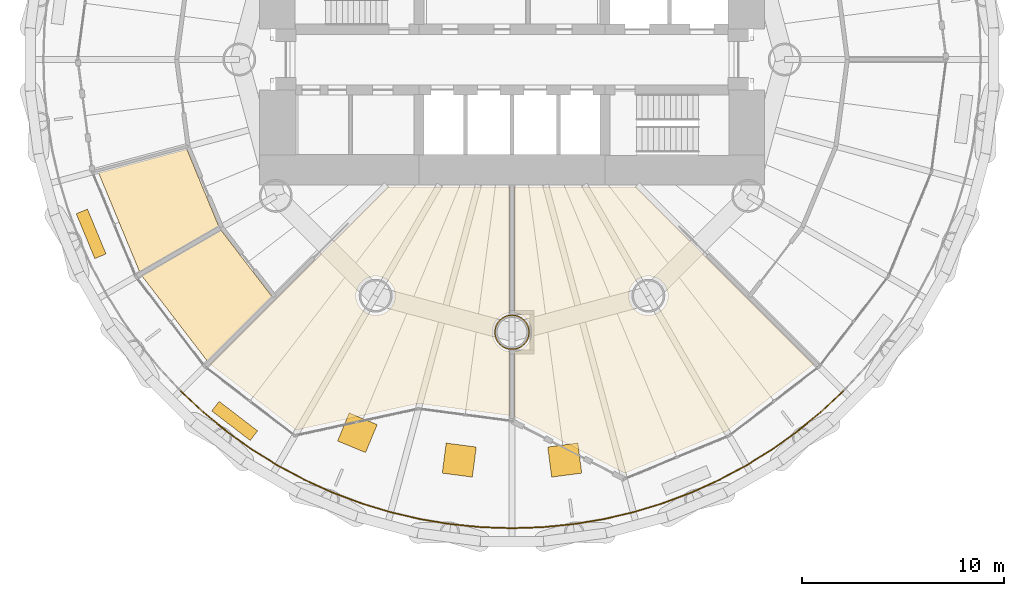
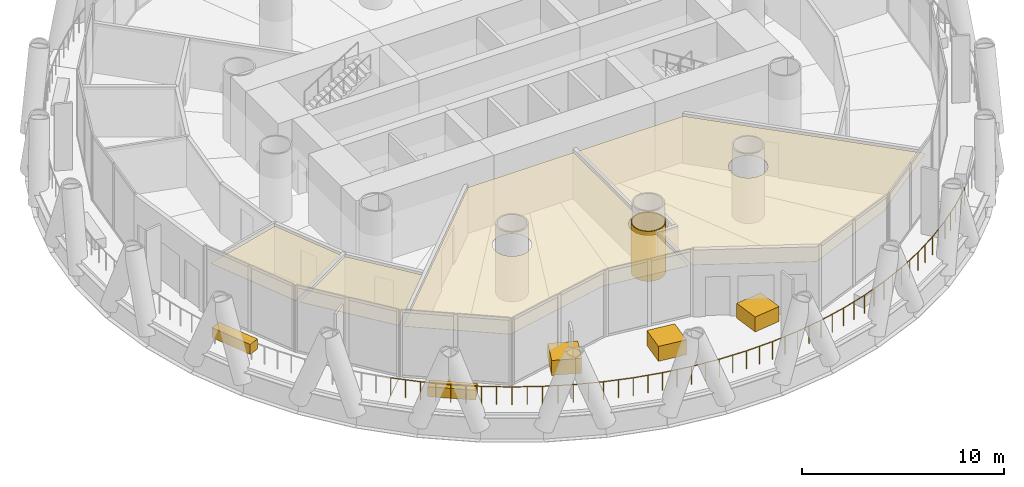
# One storey, part 12 of 15: 10 coverings, 1 railing.
"""IFC4 building model written with IfcOpenShell, lengths in metres."""

from ifc_helpers import new_model, si_unit, direction, frame, origin, origin_2d, place, context, subcontext, project, spatial, polyline, rectangle, circle, outline, extrude, material, layer, layer_set, type_object, element, save


model = new_model("IFC4")

# Units and contexts
model_context = context("Model", 3, precision=1e-05, world=origin(), true_north=direction((0.0, 1.0)))
body_context = subcontext(model_context, "Body", "Model", "MODEL_VIEW")
ifc_project = project(units=[si_unit("LENGTHUNIT", "METRE"), si_unit("AREAUNIT", "SQUARE_METRE"), si_unit("VOLUMEUNIT", "CUBIC_METRE"), si_unit("PLANEANGLEUNIT", "RADIAN"), si_unit("MASSUNIT", "GRAM", prefix="KILO")], contexts=[model_context])

# Site, building, storey
site_placement = place(None, origin())
site = spatial("IfcSite", under=ifc_project, at=site_placement, CompositionType="ELEMENT")
building_placement = place(site_placement, origin())
building = spatial("IfcBuilding", under=site, at=building_placement, Name="Qaws Media Tower", CompositionType="ELEMENT")
storey_placement = place(building_placement, frame((0.0, 0.0, 198.199951171875)))
storey = spatial("IfcBuildingStorey", under=building, at=storey_placement, Name="L45", CompositionType="ELEMENT", Elevation=198.199951171875)

# Railing
ifc_material_1 = material(Name="Stainless steel and glass guard", Category="steel")
railing_type = type_object("IfcRailingType", Name="Balcony guard 1100", PredefinedType="GUARDRAIL", material=ifc_material_1)
railing_placement = place(storey_placement, frame((43.59521484375, 33.59521484375, 0.0)))
element("IfcRailing", 1, at=railing_placement, inside=storey, type_object=railing_type, Name="GR1 balcony guard L45-3", PredefinedType="GUARDRAIL", context=body_context, shape_type="SweptSolid", body=[
    extrude(circle(Radius=0.02392578125, at=origin_2d()), frame((0.0, 0.0, 1.076171875), z_axis=(0.729807969016, -0.683652198388, 0.0), x_axis=(0.683652198388, 0.729807969016, 0.0)), (0.0, 0.0, 1.0), 1.51806640625),
    extrude(circle(Radius=0.02392578125, at=origin_2d()), frame((1.10791015625, -1.037841796875, 1.076171875), z_axis=(0.773010685803, -0.634393000934, 0.0), x_axis=(0.634393000934, 0.773010685803, 0.0)), (0.0, 0.0, 1.0), 1.518310546875),
    extrude(circle(Radius=0.02392578125, at=origin_2d()), frame((2.281494140625, -2.0009765625, 1.076171875), z_axis=(0.812874227646, -0.582439258661, 0.0), x_axis=(0.582439258661, 0.812874227646, 0.0)), (0.0, 0.0, 1.0), 1.518310546875),
    extrude(circle(Radius=0.02392578125, at=origin_2d()), frame((3.515625, -2.88525390625, 1.076171875), z_axis=(0.849152775167, -0.528147294252, 0.0), x_axis=(0.528147294252, 0.849152775167, 0.0)), (0.0, 0.0, 1.0), 1.51806640625),
    extrude(circle(Radius=0.02392578125, at=origin_2d()), frame((4.8046875, -3.68701171875, 1.076171875), z_axis=(0.881974308934, -0.471297483953, 0.0), x_axis=(0.471297483953, 0.881974308934, 0.0)), (0.0, 0.0, 1.0), 1.518310546875),
    extrude(circle(Radius=0.02392578125, at=origin_2d()), frame((6.143798828125, -4.402587890625, 1.076171875), z_axis=(0.910823016553, -0.41279708395, 0.0), x_axis=(0.41279708395, 0.910823016553, 0.0)), (0.0, 0.0, 1.0), 1.518310546875),
    extrude(circle(Radius=0.02392578125, at=origin_2d()), frame((7.526611328125, -5.029296875, 1.076171875), z_axis=(0.935932055132, -0.352180618684, 0.0), x_axis=(0.352180618684, 0.935932055132, 0.0)), (0.0, 0.0, 1.0), 1.51806640625),
    extrude(circle(Radius=0.02392578125, at=origin_2d()), frame((8.947509765625, -5.56396484375, 1.076171875), z_axis=(0.956936438438, -0.290297524602, 0.0), x_axis=(0.290297524602, 0.956936438438, 0.0)), (0.0, 0.0, 1.0), 1.51806640625),
    extrude(circle(Radius=0.02392578125, at=origin_2d()), frame((10.400146484375, -6.004638671875, 1.076171875), z_axis=(0.973879153952, -0.227066936159, 0.0), x_axis=(0.227066936159, 0.973879153952, 0.0)), (0.0, 0.0, 1.0), 1.51806640625),
    extrude(circle(Radius=0.02392578125, at=origin_2d()), frame((11.878662109375, -6.349365234375, 1.076171875), z_axis=(0.986640555935, -0.162912287394, 0.0), x_axis=(0.162912287394, 0.986640555935, 0.0)), (0.0, 0.0, 1.0), 1.51806640625),
    extrude(circle(Radius=0.02392578125, at=origin_2d()), frame((13.37646484375, -6.5966796875, 1.076171875), z_axis=(0.995177874507, -0.098086686613, 0.0), x_axis=(0.098086686613, 0.995177874507, 0.0)), (0.0, 0.0, 1.0), 1.518310546875),
    extrude(circle(Radius=0.02392578125, at=origin_2d()), frame((14.887451171875, -6.74560546875, 1.076171875), z_axis=(0.999466993527, -0.032645502765, 0.0), x_axis=(0.032645502765, 0.999466993527, 0.0)), (0.0, 0.0, 1.0), 1.51806640625),
    extrude(circle(Radius=0.02392578125, at=origin_2d()), frame((16.40478515625, -6.795166015625, 1.076171875), z_axis=(0.999466993527, 0.032645502765, 0.0), x_axis=(-0.032645502765, 0.999466993527, 0.0)), (0.0, 0.0, 1.0), 1.51806640625),
    extrude(circle(Radius=0.02392578125, at=origin_2d()), frame((17.922119140625, -6.74560546875, 1.076171875), z_axis=(0.995177874507, 0.098086686613, 0.0), x_axis=(-0.098086686613, 0.995177874507, 0.0)), (0.0, 0.0, 1.0), 1.518310546875),
    extrude(circle(Radius=0.02392578125, at=origin_2d()), frame((19.43310546875, -6.5966796875, 1.076171875), z_axis=(0.986640555935, 0.162912287394, 0.0), x_axis=(-0.162912287394, 0.986640555935, 0.0)), (0.0, 0.0, 1.0), 1.51806640625),
    extrude(circle(Radius=0.02392578125, at=origin_2d()), frame((20.930908203125, -6.349365234375, 1.076171875), z_axis=(0.973879153952, 0.227066936159, 0.0), x_axis=(-0.227066936159, 0.973879153952, 0.0)), (0.0, 0.0, 1.0), 1.51806640625),
    extrude(circle(Radius=0.02392578125, at=origin_2d()), frame((22.409423828125, -6.004638671875, 1.076171875), z_axis=(0.956936438438, 0.290297524602, 0.0), x_axis=(-0.290297524602, 0.956936438438, 0.0)), (0.0, 0.0, 1.0), 1.51806640625),
    extrude(circle(Radius=0.02392578125, at=origin_2d()), frame((23.862060546875, -5.56396484375, 1.076171875), z_axis=(0.935932055132, 0.352180618684, 0.0), x_axis=(-0.352180618684, 0.935932055132, 0.0)), (0.0, 0.0, 1.0), 1.51806640625),
    extrude(circle(Radius=0.02392578125, at=origin_2d()), frame((25.282958984375, -5.029296875, 1.076171875), z_axis=(0.910823016553, 0.41279708395, 0.0), x_axis=(-0.41279708395, 0.910823016553, 0.0)), (0.0, 0.0, 1.0), 1.518310546875),
    extrude(circle(Radius=0.02392578125, at=origin_2d()), frame((26.665771484375, -4.402587890625, 1.076171875), z_axis=(0.881974308934, 0.471297483953, 0.0), x_axis=(-0.471297483953, 0.881974308934, 0.0)), (0.0, 0.0, 1.0), 1.518310546875),
    extrude(circle(Radius=0.02392578125, at=origin_2d()), frame((28.0048828125, -3.68701171875, 1.076171875), z_axis=(0.849152775167, 0.528147294252, 0.0), x_axis=(-0.528147294252, 0.849152775167, 0.0)), (0.0, 0.0, 1.0), 1.51806640625),
    extrude(circle(Radius=0.02392578125, at=origin_2d()), frame((29.2939453125, -2.88525390625, 1.076171875), z_axis=(0.812874227646, 0.582439258661, 0.0), x_axis=(-0.582439258661, 0.812874227646, 0.0)), (0.0, 0.0, 1.0), 1.518310546875),
    extrude(circle(Radius=0.02392578125, at=origin_2d()), frame((30.528076171875, -2.0009765625, 1.076171875), z_axis=(0.773010685803, 0.634393000934, 0.0), x_axis=(-0.634393000934, 0.773010685803, 0.0)), (0.0, 0.0, 1.0), 1.518310546875),
    extrude(circle(Radius=0.02392578125, at=origin_2d()), frame((31.70166015625, -1.037841796875, 1.076171875), z_axis=(0.729807969016, 0.683652198388, 0.0), x_axis=(-0.683652198388, 0.729807969016, 0.0)), (0.0, 0.0, 1.0), 1.51806640625),
    extrude(circle(Radius=0.02099609375, at=origin_2d()), origin(), (0.0, 0.0, 1.0), 1.052001953125),
    extrude(circle(Radius=0.02099609375, at=origin_2d()), frame((0.553955078125, -0.51904296875, 0.0)), (0.0, 0.0, 1.0), 1.052001953125),
    extrude(circle(Radius=0.02099609375, at=origin_2d()), frame((1.10791015625, -1.037841796875, 0.0)), (0.0, 0.0, 1.0), 1.052001953125),
    extrude(circle(Radius=0.02099609375, at=origin_2d()), frame((1.69482421875, -1.51953125, 0.0)), (0.0, 0.0, 1.0), 1.052001953125),
    extrude(circle(Radius=0.02099609375, at=origin_2d()), frame((2.281494140625, -2.0009765625, 0.0)), (0.0, 0.0, 1.0), 1.052001953125),
    extrude(circle(Radius=0.02099609375, at=origin_2d()), frame((2.8984375, -2.443115234375, 0.0)), (0.0, 0.0, 1.0), 1.052001953125),
    extrude(circle(Radius=0.02099609375, at=origin_2d()), frame((3.515625, -2.88525390625, 0.0)), (0.0, 0.0, 1.0), 1.052001953125),
    extrude(circle(Radius=0.02099609375, at=origin_2d()), frame((4.16015625, -3.2861328125, 0.0)), (0.0, 0.0, 1.0), 1.052001953125),
    extrude(circle(Radius=0.02099609375, at=origin_2d()), frame((4.8046875, -3.68701171875, 0.0)), (0.0, 0.0, 1.0), 1.052001953125),
    extrude(circle(Radius=0.02099609375, at=origin_2d()), frame((5.47412109375, -4.044921875, 0.0)), (0.0, 0.0, 1.0), 1.052001953125),
    extrude(circle(Radius=0.02099609375, at=origin_2d()), frame((6.143798828125, -4.402587890625, 0.0)), (0.0, 0.0, 1.0), 1.052001953125),
    extrude(circle(Radius=0.02099609375, at=origin_2d()), frame((6.835205078125, -4.7158203125, 0.0)), (0.0, 0.0, 1.0), 1.052001953125),
    extrude(circle(Radius=0.02099609375, at=origin_2d()), frame((7.526611328125, -5.029296875, 0.0)), (0.0, 0.0, 1.0), 1.052001953125),
    extrude(circle(Radius=0.02099609375, at=origin_2d()), frame((8.237060546875, -5.296630859375, 0.0)), (0.0, 0.0, 1.0), 1.052001953125),
    extrude(circle(Radius=0.02099609375, at=origin_2d()), frame((8.947509765625, -5.56396484375, 0.0)), (0.0, 0.0, 1.0), 1.052001953125),
    extrude(circle(Radius=0.02099609375, at=origin_2d()), frame((9.673828125, -5.7841796875, 0.0)), (0.0, 0.0, 1.0), 1.052001953125),
    extrude(circle(Radius=0.02099609375, at=origin_2d()), frame((10.400146484375, -6.004638671875, 0.0)), (0.0, 0.0, 1.0), 1.052001953125),
    extrude(circle(Radius=0.02099609375, at=origin_2d()), frame((11.139404296875, -6.177001953125, 0.0)), (0.0, 0.0, 1.0), 1.052001953125),
    extrude(circle(Radius=0.02099609375, at=origin_2d()), frame((11.878662109375, -6.349365234375, 0.0)), (0.0, 0.0, 1.0), 1.052001953125),
    extrude(circle(Radius=0.02099609375, at=origin_2d()), frame((12.62744140625, -6.47314453125, 0.0)), (0.0, 0.0, 1.0), 1.052001953125),
    extrude(circle(Radius=0.02099609375, at=origin_2d()), frame((13.37646484375, -6.5966796875, 0.0)), (0.0, 0.0, 1.0), 1.052001953125),
    extrude(circle(Radius=0.02099609375, at=origin_2d()), frame((14.1318359375, -6.671142578125, 0.0)), (0.0, 0.0, 1.0), 1.052001953125),
    extrude(circle(Radius=0.02099609375, at=origin_2d()), frame((14.887451171875, -6.74560546875, 0.0)), (0.0, 0.0, 1.0), 1.052001953125),
    extrude(circle(Radius=0.02099609375, at=origin_2d()), frame((15.64599609375, -6.7705078125, 0.0)), (0.0, 0.0, 1.0), 1.052001953125),
    extrude(circle(Radius=0.02099609375, at=origin_2d()), frame((16.40478515625, -6.795166015625, 0.0)), (0.0, 0.0, 1.0), 1.052001953125),
    extrude(circle(Radius=0.02099609375, at=origin_2d()), frame((17.16357421875, -6.7705078125, 0.0)), (0.0, 0.0, 1.0), 1.052001953125),
    extrude(circle(Radius=0.02099609375, at=origin_2d()), frame((17.922119140625, -6.74560546875, 0.0)), (0.0, 0.0, 1.0), 1.052001953125),
    extrude(circle(Radius=0.02099609375, at=origin_2d()), frame((18.677734375, -6.671142578125, 0.0)), (0.0, 0.0, 1.0), 1.052001953125),
    extrude(circle(Radius=0.02099609375, at=origin_2d()), frame((19.43310546875, -6.5966796875, 0.0)), (0.0, 0.0, 1.0), 1.052001953125),
    extrude(circle(Radius=0.02099609375, at=origin_2d()), frame((20.18212890625, -6.47314453125, 0.0)), (0.0, 0.0, 1.0), 1.052001953125),
    extrude(circle(Radius=0.02099609375, at=origin_2d()), frame((20.930908203125, -6.349365234375, 0.0)), (0.0, 0.0, 1.0), 1.052001953125),
    extrude(circle(Radius=0.02099609375, at=origin_2d()), frame((21.670166015625, -6.177001953125, 0.0)), (0.0, 0.0, 1.0), 1.052001953125),
    extrude(circle(Radius=0.02099609375, at=origin_2d()), frame((22.409423828125, -6.004638671875, 0.0)), (0.0, 0.0, 1.0), 1.052001953125),
    extrude(circle(Radius=0.02099609375, at=origin_2d()), frame((23.1357421875, -5.7841796875, 0.0)), (0.0, 0.0, 1.0), 1.052001953125),
    extrude(circle(Radius=0.02099609375, at=origin_2d()), frame((23.862060546875, -5.56396484375, 0.0)), (0.0, 0.0, 1.0), 1.052001953125),
    extrude(circle(Radius=0.02099609375, at=origin_2d()), frame((24.572509765625, -5.296630859375, 0.0)), (0.0, 0.0, 1.0), 1.052001953125),
    extrude(circle(Radius=0.02099609375, at=origin_2d()), frame((25.282958984375, -5.029296875, 0.0)), (0.0, 0.0, 1.0), 1.052001953125),
    extrude(circle(Radius=0.02099609375, at=origin_2d()), frame((25.974365234375, -4.7158203125, 0.0)), (0.0, 0.0, 1.0), 1.052001953125),
    extrude(circle(Radius=0.02099609375, at=origin_2d()), frame((26.665771484375, -4.402587890625, 0.0)), (0.0, 0.0, 1.0), 1.052001953125),
    extrude(circle(Radius=0.02099609375, at=origin_2d()), frame((27.33544921875, -4.044921875, 0.0)), (0.0, 0.0, 1.0), 1.052001953125),
    extrude(circle(Radius=0.02099609375, at=origin_2d()), frame((28.0048828125, -3.68701171875, 0.0)), (0.0, 0.0, 1.0), 1.052001953125),
    extrude(circle(Radius=0.02099609375, at=origin_2d()), frame((28.6494140625, -3.2861328125, 0.0)), (0.0, 0.0, 1.0), 1.052001953125),
    extrude(circle(Radius=0.02099609375, at=origin_2d()), frame((29.2939453125, -2.88525390625, 0.0)), (0.0, 0.0, 1.0), 1.052001953125),
    extrude(circle(Radius=0.02099609375, at=origin_2d()), frame((29.9111328125, -2.443115234375, 0.0)), (0.0, 0.0, 1.0), 1.052001953125),
    extrude(circle(Radius=0.02099609375, at=origin_2d()), frame((30.528076171875, -2.0009765625, 0.0)), (0.0, 0.0, 1.0), 1.052001953125),
    extrude(circle(Radius=0.02099609375, at=origin_2d()), frame((31.11474609375, -1.51953125, 0.0)), (0.0, 0.0, 1.0), 1.052001953125),
    extrude(circle(Radius=0.02099609375, at=origin_2d()), frame((31.70166015625, -1.037841796875, 0.0)), (0.0, 0.0, 1.0), 1.052001953125),
    extrude(circle(Radius=0.02099609375, at=origin_2d()), frame((32.255615234375, -0.51904296875, 0.0)), (0.0, 0.0, 1.0), 1.052001953125),
    extrude(circle(Radius=0.02099609375, at=origin_2d()), frame((32.8095703125, 0.0, 0.0)), (0.0, 0.0, 1.0), 1.052001953125),
])

# Coverings
ifc_material_2 = material(Name="Two layers 15 fire-rated gypsum board on steel framing", Category="steel")
ifc_layer_1 = layer(ifc_material_2, 0.050048828125)
ifc_layer_set_1 = layer_set([ifc_layer_1], Name="Column fire casing")
covering_type_1 = type_object("IfcCoveringType", Name="Column fire casing", PredefinedType="CLADDING", material=ifc_layer_set_1)
covering_1_placement = place(storey_placement, origin())
element("IfcCovering", 2, at=covering_1_placement, inside=storey, type_object=covering_type_1, Name="CC1 column casing L45", PredefinedType="CLADDING", context=body_context, shape_type="SweptSolid", body=[
    extrude(outline(polyline([(60.867919921875, 36.5), (60.860595703125, 36.38671875), (60.83837890625, 36.275390625), (60.802001953125, 36.167724609375), (60.751708984375, 36.06591796875), (60.688720703125, 35.9716796875), (60.61376953125, 35.88623046875), (60.5283203125, 35.811279296875), (60.43408203125, 35.748291015625), (60.332275390625, 35.697998046875), (60.224609375, 35.66162109375), (60.11328125, 35.639404296875), (60.0, 35.632080078125), (59.88671875, 35.639404296875), (59.775390625, 35.66162109375), (59.667724609375, 35.697998046875), (59.56591796875, 35.748291015625), (59.4716796875, 35.811279296875), (59.38623046875, 35.88623046875), (59.311279296875, 35.9716796875), (59.248291015625, 36.06591796875), (59.197998046875, 36.167724609375), (59.16162109375, 36.275390625), (59.139404296875, 36.38671875), (59.132080078125, 36.5), (59.139404296875, 36.61328125), (59.16162109375, 36.724609375), (59.197998046875, 36.832275390625), (59.248291015625, 36.93408203125), (59.311279296875, 37.0283203125), (59.38623046875, 37.11376953125), (59.4716796875, 37.188720703125), (59.56591796875, 37.251708984375), (59.667724609375, 37.302001953125), (59.775390625, 37.33837890625), (59.88671875, 37.360595703125), (60.0, 37.367919921875), (60.11328125, 37.360595703125), (60.224609375, 37.33837890625), (60.332275390625, 37.302001953125), (60.43408203125, 37.251708984375), (60.5283203125, 37.188720703125), (60.61376953125, 37.11376953125), (60.688720703125, 37.0283203125), (60.751708984375, 36.93408203125), (60.802001953125, 36.832275390625), (60.83837890625, 36.724609375), (60.860595703125, 36.61328125), (60.867919921875, 36.5)]), holes=[polyline([(60.81591796875, 36.5), (60.80908203125, 36.3935546875), (60.7880859375, 36.288818359375), (60.75390625, 36.187744140625), (60.706787109375, 36.092041015625), (60.6474609375, 36.00341796875), (60.576904296875, 35.923095703125), (60.49658203125, 35.8525390625), (60.407958984375, 35.793212890625), (60.312255859375, 35.74609375), (60.211181640625, 35.7119140625), (60.1064453125, 35.69091796875), (60.0, 35.68408203125), (59.8935546875, 35.69091796875), (59.788818359375, 35.7119140625), (59.687744140625, 35.74609375), (59.592041015625, 35.793212890625), (59.50341796875, 35.8525390625), (59.423095703125, 35.923095703125), (59.3525390625, 36.00341796875), (59.293212890625, 36.092041015625), (59.24609375, 36.187744140625), (59.2119140625, 36.288818359375), (59.19091796875, 36.3935546875), (59.18408203125, 36.5), (59.19091796875, 36.6064453125), (59.2119140625, 36.711181640625), (59.24609375, 36.812255859375), (59.293212890625, 36.907958984375), (59.3525390625, 36.99658203125), (59.423095703125, 37.076904296875), (59.50341796875, 37.1474609375), (59.592041015625, 37.206787109375), (59.687744140625, 37.25390625), (59.788818359375, 37.2880859375), (59.8935546875, 37.30908203125), (60.0, 37.31591796875), (60.1064453125, 37.30908203125), (60.211181640625, 37.2880859375), (60.312255859375, 37.25390625), (60.407958984375, 37.206787109375), (60.49658203125, 37.1474609375), (60.576904296875, 37.076904296875), (60.6474609375, 36.99658203125), (60.706787109375, 36.907958984375), (60.75390625, 36.812255859375), (60.7880859375, 36.711181640625), (60.80908203125, 36.6064453125), (60.81591796875, 36.5)])]), origin(), (0.0, 0.0, 1.0), 3.02001953125),
])
ifc_material_3 = material(Name="600 x 600 mineral fibre tiles in exposed grid, suspended", Category="mineral fibre")
ifc_layer_2 = layer(ifc_material_3, 0.02001953125)
ifc_layer_set_2 = layer_set([ifc_layer_2], Name="Mineral fibre tile ceiling 20")
covering_type_2 = type_object("IfcCoveringType", Name="Mineral fibre tile ceiling 20", PredefinedType="CEILING", material=ifc_layer_set_2)
covering_2_placement = place(storey_placement, frame((0.0, 0.0, 2.85009765625)))
element("IfcCovering", 3, at=covering_2_placement, inside=storey, type_object=covering_type_2, Name="CL1 ceiling L45-09 Cafe", PredefinedType="CEILING", context=body_context, shape_type="SweptSolid", body=[
    extrude(outline(polyline([(55.356201171875, 32.976318359375), (49.313232421875, 31.662841796875), (45.074462890625, 34.915283203125), (53.8466796875, 43.6875), (59.887451171875, 43.6875), (59.887451171875, 37.465576171875), (59.873046875, 37.464599609375), (59.748291015625, 37.439697265625), (59.627685546875, 37.39892578125), (59.513427734375, 37.342529296875), (59.40771484375, 37.27197265625), (59.31201171875, 37.18798828125), (59.22802734375, 37.09228515625), (59.157470703125, 36.986572265625), (59.10107421875, 36.872314453125), (59.060302734375, 36.751708984375), (59.035400390625, 36.626953125), (59.027099609375, 36.5), (59.035400390625, 36.373046875), (59.060302734375, 36.248291015625), (59.10107421875, 36.127685546875), (59.157470703125, 36.013427734375), (59.22802734375, 35.90771484375), (59.31201171875, 35.81201171875), (59.40771484375, 35.72802734375), (59.513427734375, 35.657470703125), (59.627685546875, 35.60107421875), (59.748291015625, 35.560302734375), (59.873046875, 35.535400390625), (59.887451171875, 35.534423828125), (59.887451171875, 32.379638671875), (55.356201171875, 32.976318359375)]), holes=[polyline([(54.189697265625, 38.056884765625), (54.214599609375, 38.181640625), (54.222900390625, 38.30859375), (54.214599609375, 38.435791015625), (54.189697265625, 38.560546875), (54.14892578125, 38.680908203125), (54.092529296875, 38.795166015625), (54.02197265625, 38.90087890625), (53.93798828125, 38.99658203125), (53.84228515625, 39.08056640625), (53.736572265625, 39.1513671875), (53.622314453125, 39.20751953125), (53.501708984375, 39.24853515625), (53.376953125, 39.273193359375), (53.25, 39.28173828125), (53.123046875, 39.273193359375), (52.998291015625, 39.24853515625), (52.877685546875, 39.20751953125), (52.763427734375, 39.1513671875), (52.65771484375, 39.08056640625), (52.56201171875, 38.99658203125), (52.47802734375, 38.90087890625), (52.407470703125, 38.795166015625), (52.35107421875, 38.680908203125), (52.310302734375, 38.560546875), (52.285400390625, 38.435791015625), (52.277099609375, 38.30859375), (52.285400390625, 38.181640625), (52.310302734375, 38.056884765625), (52.35107421875, 37.936279296875), (52.407470703125, 37.822265625), (52.47802734375, 37.71630859375), (52.56201171875, 37.62060546875), (52.65771484375, 37.53662109375), (52.763427734375, 37.466064453125), (52.877685546875, 37.40966796875), (52.998291015625, 37.368896484375), (53.123046875, 37.343994140625), (53.25, 37.335693359375), (53.376953125, 37.343994140625), (53.501708984375, 37.368896484375), (53.622314453125, 37.40966796875), (53.736572265625, 37.466064453125), (53.84228515625, 37.53662109375), (53.93798828125, 37.62060546875), (54.02197265625, 37.71630859375), (54.092529296875, 37.822265625), (54.14892578125, 37.936279296875), (54.189697265625, 38.056884765625)])]), origin(), (0.0, 0.0, 1.0), 0.02001953125),
])
covering_3_placement = place(storey_placement, frame((0.0, 0.0, 2.85009765625)))
element("IfcCovering", 4, at=covering_3_placement, inside=storey, type_object=covering_type_2, Name="CL1 ceiling L45-10 Juice bar", PredefinedType="CEILING", context=body_context, shape_type="SweptSolid", body=[
    extrude(outline(polyline([(60.112548828125, 35.534423828125), (60.126953125, 35.535400390625), (60.251708984375, 35.560302734375), (60.372314453125, 35.60107421875), (60.486572265625, 35.657470703125), (60.59228515625, 35.72802734375), (60.68798828125, 35.81201171875), (60.77197265625, 35.90771484375), (60.842529296875, 36.013427734375), (60.89892578125, 36.127685546875), (60.939697265625, 36.248291015625), (60.964599609375, 36.373046875), (60.972900390625, 36.5), (60.964599609375, 36.626953125), (60.939697265625, 36.751708984375), (60.89892578125, 36.872314453125), (60.842529296875, 36.986572265625), (60.77197265625, 37.09228515625), (60.68798828125, 37.18798828125), (60.59228515625, 37.27197265625), (60.486572265625, 37.342529296875), (60.372314453125, 37.39892578125), (60.251708984375, 37.439697265625), (60.126953125, 37.464599609375), (60.112548828125, 37.465576171875), (60.112548828125, 43.6875), (66.1533203125, 43.6875), (74.925537109375, 34.915283203125), (70.61767578125, 31.609619140625), (65.57666015625, 29.521728515625), (60.112548828125, 32.33740234375), (60.112548828125, 35.534423828125)]), holes=[polyline([(67.64892578125, 37.936279296875), (67.689697265625, 38.056884765625), (67.714599609375, 38.181640625), (67.722900390625, 38.30859375), (67.714599609375, 38.435791015625), (67.689697265625, 38.560546875), (67.64892578125, 38.680908203125), (67.592529296875, 38.795166015625), (67.52197265625, 38.90087890625), (67.43798828125, 38.99658203125), (67.34228515625, 39.08056640625), (67.236572265625, 39.1513671875), (67.122314453125, 39.20751953125), (67.001708984375, 39.24853515625), (66.876953125, 39.273193359375), (66.75, 39.28173828125), (66.623046875, 39.273193359375), (66.498291015625, 39.24853515625), (66.377685546875, 39.20751953125), (66.263427734375, 39.1513671875), (66.15771484375, 39.08056640625), (66.06201171875, 38.99658203125), (65.97802734375, 38.90087890625), (65.907470703125, 38.795166015625), (65.85107421875, 38.680908203125), (65.810302734375, 38.560546875), (65.785400390625, 38.435791015625), (65.777099609375, 38.30859375), (65.785400390625, 38.181640625), (65.810302734375, 38.056884765625), (65.85107421875, 37.936279296875), (65.907470703125, 37.822265625), (65.97802734375, 37.71630859375), (66.06201171875, 37.62060546875), (66.15771484375, 37.53662109375), (66.263427734375, 37.466064453125), (66.377685546875, 37.40966796875), (66.498291015625, 37.368896484375), (66.623046875, 37.343994140625), (66.75, 37.335693359375), (66.876953125, 37.343994140625), (67.001708984375, 37.368896484375), (67.122314453125, 37.40966796875), (67.236572265625, 37.466064453125), (67.34228515625, 37.53662109375), (67.43798828125, 37.62060546875), (67.52197265625, 37.71630859375), (67.592529296875, 37.822265625), (67.64892578125, 37.936279296875)])]), origin(), (0.0, 0.0, 1.0), 0.02001953125),
])
ifc_material_4 = material(Name="Precast concrete planter with trailing planting", Category="concrete")
ifc_layer_3 = layer(ifc_material_4, 0.60009765625)
ifc_layer_set_3 = layer_set([ifc_layer_3], Name="Planter 2400x600")
covering_type_3 = type_object("IfcCoveringType", Name="Planter 2400x600", PredefinedType="USERDEFINED", material=ifc_layer_set_3)
for number, where, z_axis, x_axis, name in (
    (5, (39.16650390625, 41.37060546875, 0.0), (0.0, 0.0, 1.0), (0.382683432365, -0.923879532511, 0.0), "PL1 balcony planter L45-07"),
    (6, (46.2724609375, 32.10986328125, 0.0), (0.0, 0.0, 1.0), (0.793353340291, -0.608761429009, 0.0), "PL1 balcony planter L45-08"),
):
    element("IfcCovering", number, at=place(storey_placement, frame(where, z_axis=z_axis, x_axis=x_axis)), inside=storey, type_object=covering_type_3, Name=name, ObjectType="PLANTER", PredefinedType="USERDEFINED", context=body_context, shape_type="SweptSolid", body=[
        extrude(rectangle(XDim=2.39990234375, YDim=0.60009765625, at=origin_2d()), origin(), (0.0, 0.0, 1.0), 0.60009765625),
    ])
ifc_material_5 = material(Name="Two layers 12.5 moisture-resistant plasterboard on suspended metal furring", Category="gypsum")
ifc_layer_4 = layer(ifc_material_5, 0.02490234375)
ifc_layer_set_4 = layer_set([ifc_layer_4], Name="Plasterboard ceiling 25")
covering_type_4 = type_object("IfcCoveringType", Name="Plasterboard ceiling 25", PredefinedType="CEILING", material=ifc_layer_set_4)
covering_4_placement = place(storey_placement, frame((0.0, 0.0, 2.85009765625)))
element("IfcCovering", 7, at=covering_4_placement, inside=storey, type_object=covering_type_4, Name="CL2 ceiling L45-07 Ablutions (men)", PredefinedType="CEILING", context=body_context, shape_type="SweptSolid", body=[
    extrude(outline(polyline([(39.53173828125, 44.399169921875), (43.8994140625, 45.5693359375), (45.482421875, 41.748046875), (41.56640625, 39.4873046875), (39.53173828125, 44.399169921875)])), origin(), (0.0, 0.0, 1.0), 0.02490234375),
])
covering_5_placement = place(storey_placement, frame((0.0, 0.0, 2.85009765625)))
element("IfcCovering", 8, at=covering_5_placement, inside=storey, type_object=covering_type_4, Name="CL2 ceiling L45-08 Ablutions (women)", PredefinedType="CEILING", context=body_context, shape_type="SweptSolid", body=[
    extrude(outline(polyline([(41.6787109375, 39.29248046875), (45.5947265625, 41.55322265625), (48.11279296875, 38.271728515625), (44.915283203125, 35.074462890625), (41.6787109375, 39.29248046875)])), origin(), (0.0, 0.0, 1.0), 0.02490234375),
])
ifc_material_6 = material(Name="Precast concrete tree planter", Category="concrete")
ifc_layer_5 = layer(ifc_material_6, 0.89990234375)
ifc_layer_set_5 = layer_set([ifc_layer_5], Name="Tree planter 1500")
covering_type_5 = type_object("IfcCoveringType", Name="Tree planter 1500", PredefinedType="USERDEFINED", material=ifc_layer_set_5)
for number, where, z_axis, x_axis, name in (
    (9, (52.346435546875, 31.5224609375, 0.0), (0.0, 0.0, 1.0), (-0.382683432365, -0.923879532511, 0.0), "PL2 sky garden tree planter L45-1"),
    (10, (57.389404296875, 30.171142578125, 0.0), (0.0, 0.0, 1.0), (-0.13052619222, -0.991444861374, 0.0), "PL2 sky garden tree planter L45-2"),
    (11, (62.610595703125, 30.171142578125, 0.0), (0.0, 0.0, 1.0), (0.13052619222, -0.991444861374, 0.0), "PL2 sky garden tree planter L45-3"),
):
    element("IfcCovering", number, at=place(storey_placement, frame(where, z_axis=z_axis, x_axis=x_axis)), inside=storey, type_object=covering_type_5, Name=name, ObjectType="PLANTER", PredefinedType="USERDEFINED", context=body_context, shape_type="SweptSolid", body=[
        extrude(rectangle(XDim=1.5, YDim=1.5, at=origin_2d()), origin(), (0.0, 0.0, 1.0), 0.89990234375),
    ])

save(model, "model.ifc")
